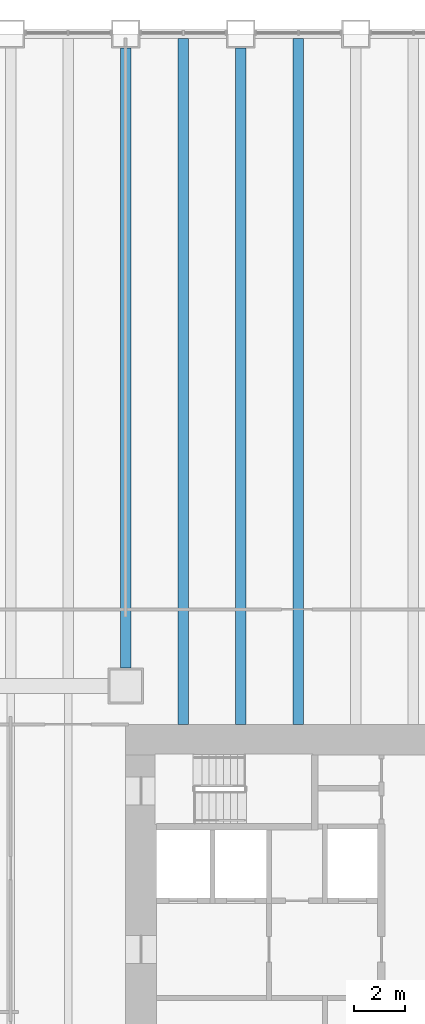
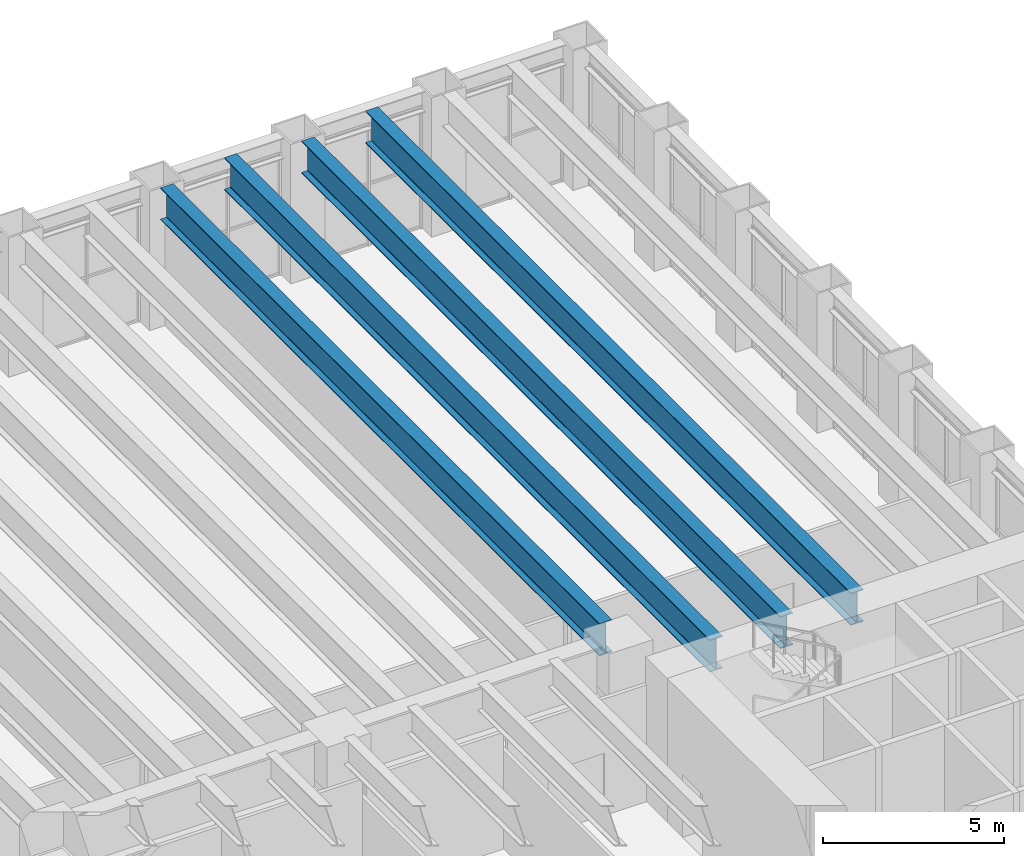
# One storey, part 4 of 21: 4 beams.
"""IFC4 building model written with IfcOpenShell, lengths in metres."""

from ifc_helpers import new_model, si_unit, direction, frame, origin, origin_2d, place, context, subcontext, project, spatial, i_section, extrude, material, material_profile, profile_set, type_object, element, save


model = new_model("IFC4")

# Units and contexts
model_context = context("Model", 3, precision=1e-05, world=origin(), true_north=direction((0.0, 1.0)))
body_context = subcontext(model_context, "Body", "Model", "MODEL_VIEW")
ifc_project = project(units=[si_unit("LENGTHUNIT", "METRE"), si_unit("AREAUNIT", "SQUARE_METRE"), si_unit("VOLUMEUNIT", "CUBIC_METRE"), si_unit("PLANEANGLEUNIT", "RADIAN"), si_unit("MASSUNIT", "GRAM", prefix="KILO")], contexts=[model_context])

# Site, building, storey
site_placement = place(None, origin())
site = spatial("IfcSite", under=ifc_project, at=site_placement, CompositionType="ELEMENT")
building_placement = place(site_placement, origin())
building = spatial("IfcBuilding", under=site, at=building_placement, Name="Sennacour Bend Tower", CompositionType="ELEMENT")
storey_placement = place(building_placement, frame((0.0, 0.0, 24.0)))
storey = spatial("IfcBuildingStorey", under=building, at=storey_placement, Name="L04", CompositionType="ELEMENT", Elevation=24.0)

# Beams
ifc_material = material(Name="Steel ASTM A992 Grade 50", Category="steel")
ifc_material_profile = material_profile(ifc_material, i_section(OverallWidth=0.40087890625, OverallDepth=1.090087890625, WebThickness=0.01806640625, FlangeThickness=0.031005859375, FilletRadius=0.02001953125, at=origin_2d()), Name="Steel ASTM A992 Grade 50", Category="steel")
ifc_profile_set = profile_set([ifc_material_profile], Name="Steel ASTM A992 Grade 50")
beam_type = type_object("IfcBeamType", Name="Notch floor beam W1100X343", PredefinedType="BEAM", material=ifc_profile_set)
beam_1_placement = place(storey_placement, frame((54.0, 24.699951171875, 4.155029296875), z_axis=(0.0, 1.0, 0.0), x_axis=(-1.0, 0.0, 0.0)))
element("IfcBeam", 1, at=beam_1_placement, inside=storey, type_object=beam_type, Name="Floor beam FBM4 L05-058", PredefinedType="BEAM", context=body_context, shape_type="SweptSolid", body=[
    extrude(i_section(OverallWidth=0.40087890625, OverallDepth=1.090087890625, WebThickness=0.01806640625, FlangeThickness=0.031005859375, FilletRadius=0.02001953125, at=origin_2d()), origin(), (0.0, 0.0, 1.0), 24.25),
])
beam_2_placement = place(storey_placement, frame((56.25, 22.5, 4.155029296875), z_axis=(0.0, 1.0, 0.0), x_axis=(-1.0, 0.0, 0.0)))
element("IfcBeam", 2, at=beam_2_placement, inside=storey, type_object=beam_type, Name="Floor beam FBM4 L05-059", PredefinedType="BEAM", context=body_context, shape_type="SweptSolid", body=[
    extrude(i_section(OverallWidth=0.40087890625, OverallDepth=1.090087890625, WebThickness=0.01806640625, FlangeThickness=0.031005859375, FilletRadius=0.02001953125, at=origin_2d()), origin(), (0.0, 0.0, 1.0), 26.821044921875),
])
beam_3_placement = place(storey_placement, frame((58.5, 22.5, 4.155029296875), z_axis=(0.0, 1.0, 0.0), x_axis=(-1.0, 0.0, 0.0)))
element("IfcBeam", 3, at=beam_3_placement, inside=storey, type_object=beam_type, Name="Floor beam FBM4 L05-060", PredefinedType="BEAM", context=body_context, shape_type="SweptSolid", body=[
    extrude(i_section(OverallWidth=0.40087890625, OverallDepth=1.090087890625, WebThickness=0.01806640625, FlangeThickness=0.031005859375, FilletRadius=0.02001953125, at=origin_2d()), origin(), (0.0, 0.0, 1.0), 26.449951171875),
])
beam_4_placement = place(storey_placement, frame((60.75, 22.5, 4.155029296875), z_axis=(0.0, 1.0, 0.0), x_axis=(-1.0, 0.0, 0.0)))
element("IfcBeam", 4, at=beam_4_placement, inside=storey, type_object=beam_type, Name="Floor beam FBM4 L05-061", PredefinedType="BEAM", context=body_context, shape_type="SweptSolid", body=[
    extrude(i_section(OverallWidth=0.40087890625, OverallDepth=1.090087890625, WebThickness=0.01806640625, FlangeThickness=0.031005859375, FilletRadius=0.02001953125, at=origin_2d()), origin(), (0.0, 0.0, 1.0), 26.821044921875),
])

save(model, "model.ifc")
